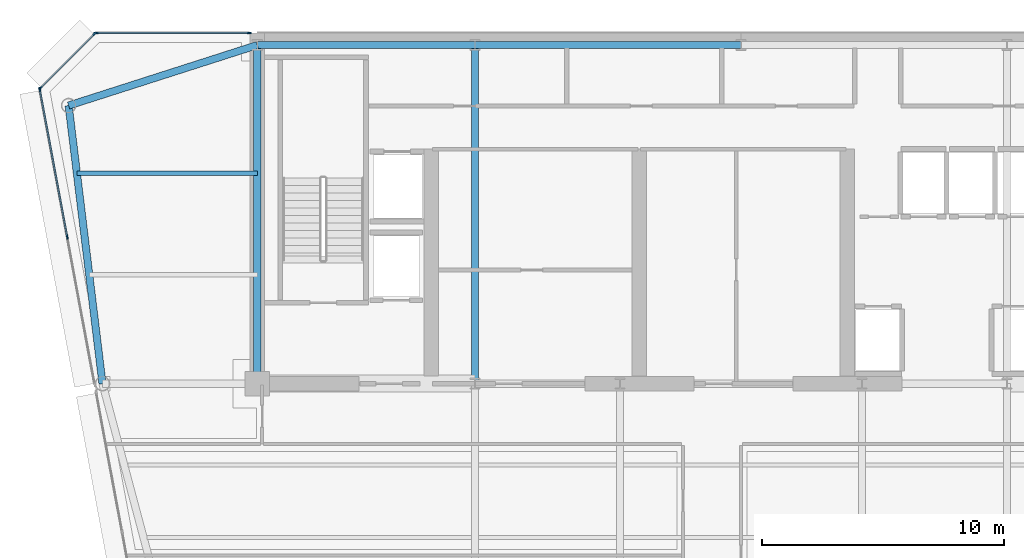
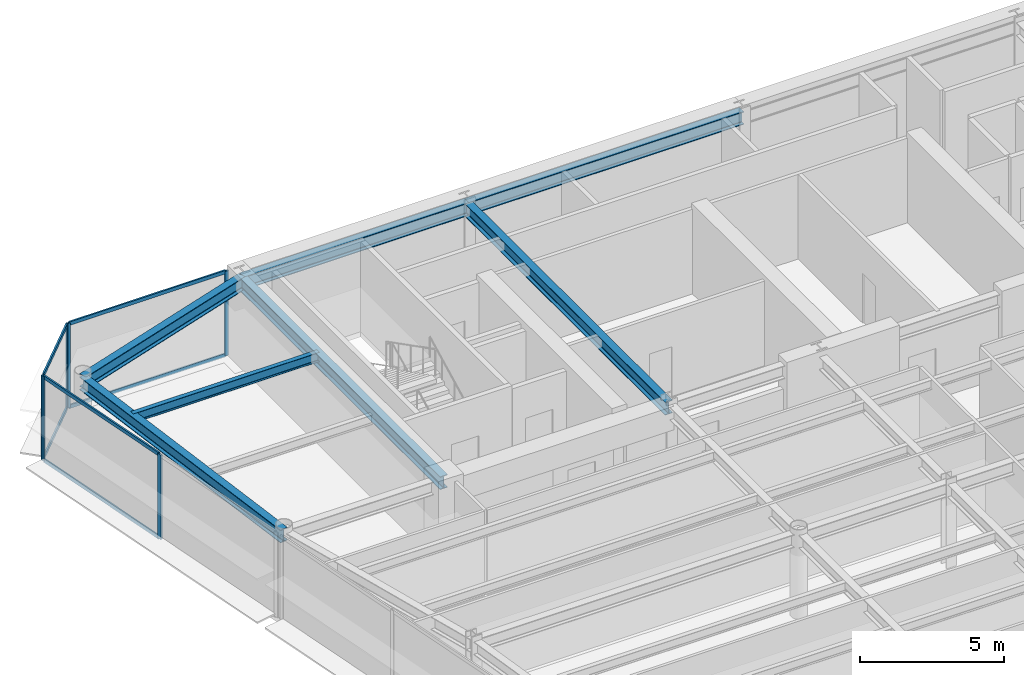
# One storey, part 7 of 18: 12 members, 7 beams, 3 elements without a shape of their own.
"""IFC4 building model written with IfcOpenShell, lengths in metres."""

from ifc_helpers import new_model, si_unit, direction, frame, origin, origin_2d, place, context, subcontext, project, spatial, rectangle, i_section, extrude, source, transform, mapped, material, layer, layer_set, material_profile, profile_set, type_object, element, aggregate, save


model = new_model("IFC4")

# Units and contexts
model_context = context("Model", 3, precision=1e-05, world=origin(), true_north=direction((0.0, 1.0)))
body_context = subcontext(model_context, "Body", "Model", "MODEL_VIEW")
ifc_project = project(units=[si_unit("LENGTHUNIT", "METRE"), si_unit("AREAUNIT", "SQUARE_METRE"), si_unit("VOLUMEUNIT", "CUBIC_METRE"), si_unit("PLANEANGLEUNIT", "RADIAN"), si_unit("MASSUNIT", "GRAM", prefix="KILO")], contexts=[model_context])

# Site, building, storey
site_placement = place(None, origin())
site = spatial("IfcSite", under=ifc_project, at=site_placement, CompositionType="ELEMENT")
building_placement = place(site_placement, origin())
building = spatial("IfcBuilding", under=site, at=building_placement, Name="Vaeldorn Concourse Tower", CompositionType="ELEMENT")
storey_placement = place(building_placement, frame((0.0, 0.0, 242.199951171875)))
storey = spatial("IfcBuildingStorey", under=building, at=storey_placement, Name="L62", CompositionType="ELEMENT", Elevation=242.199951171875)

# Beams
ifc_material_1 = material(Name="Steel S355", Category="steel")
ifc_material_profile_1 = material_profile(ifc_material_1, i_section(OverallWidth=0.179931640625, OverallDepth=0.39990234375, WebThickness=0.008544921875, FlangeThickness=0.013427734375, FilletRadius=0.02099609375, at=origin_2d()), Name="IPE 400")
ifc_profile_set_1 = profile_set([ifc_material_profile_1], Name="Steel S355")
beam_type_1 = type_object("IfcBeamType", Name="BM-JS-IPE400", PredefinedType="JOIST", material=ifc_profile_set_1)
shared_shape_1 = source(origin(), body_context, "Body", "SweptSolid", [
    extrude(i_section(OverallWidth=0.179931640625, OverallDepth=0.39990234375, WebThickness=0.008544921875, FlangeThickness=0.013427734375, FilletRadius=0.02099609375, at=origin_2d()), origin(), (0.0, 0.0, 1.0), 7.458984375),
])
beam_1_placement = place(storey_placement, frame((6.541015625, 45.199951171875, 3.380126953125), z_axis=(1.0, 0.0, 0.0), x_axis=(0.0, 1.0, 0.0)))
element("IfcBeam", 1, at=beam_1_placement, inside=storey, type_object=beam_type_1, Name="Beam JS-L62-NW-452", PredefinedType="JOIST", context=body_context, shape_type="MappedRepresentation", body=[
    mapped(shared_shape_1, transform((0.0, 0.0, 0.0), scale=1.0)),
])
ifc_material_profile_2 = material_profile(ifc_material_1, i_section(OverallWidth=0.300048828125, OverallDepth=0.550048828125, WebThickness=0.014892578125, FlangeThickness=0.029052734375, FilletRadius=0.027099609375, at=origin_2d()), Name="HEB 550")
ifc_profile_set_2 = profile_set([ifc_material_profile_2], Name="Steel S355")
beam_type_2 = type_object("IfcBeamType", Name="BM-PG-HEB550", PredefinedType="BEAM", material=ifc_profile_set_2)
shared_shape_2 = source(origin(), body_context, "Body", "SweptSolid", [
    extrude(i_section(OverallWidth=0.300048828125, OverallDepth=0.550048828125, WebThickness=0.014892578125, FlangeThickness=0.029052734375, FilletRadius=0.027099609375, at=origin_2d()), origin(), (0.0, 0.0, 1.0), 9.0),
])
beam_2_placement = place(storey_placement, frame((14.0, 50.5, 3.304931640625), z_axis=(1.0, 0.0, 0.0), x_axis=(0.0, 1.0, 0.0)))
element("IfcBeam", 2, at=beam_2_placement, inside=storey, type_object=beam_type_2, Name="Beam BM-L62-C-HC1-C-HC2", PredefinedType="BEAM", context=body_context, shape_type="MappedRepresentation", body=[
    mapped(shared_shape_2, transform((0.0, 0.0, 0.0), scale=1.0)),
])
shared_shape_3 = source(origin(), body_context, "Body", "SweptSolid", [
    extrude(i_section(OverallWidth=0.300048828125, OverallDepth=0.550048828125, WebThickness=0.014892578125, FlangeThickness=0.029052734375, FilletRadius=0.027099609375, at=origin_2d()), origin(), (0.0, 0.0, 1.0), 11.0),
])
beam_3_placement = place(storey_placement, frame((23.0, 50.5, 3.304931640625), z_axis=(1.0, 0.0, 0.0), x_axis=(0.0, 1.0, 0.0)))
element("IfcBeam", 3, at=beam_3_placement, inside=storey, type_object=beam_type_2, Name="Beam BM-L62-C-HC2-C-HC3", PredefinedType="BEAM", context=body_context, shape_type="MappedRepresentation", body=[
    mapped(shared_shape_3, transform((0.0, 0.0, 0.0), scale=1.0)),
])
shared_shape_4 = source(origin(), body_context, "Body", "SweptSolid", [
    extrude(i_section(OverallWidth=0.300048828125, OverallDepth=0.550048828125, WebThickness=0.014892578125, FlangeThickness=0.029052734375, FilletRadius=0.027099609375, at=origin_2d()), origin(), (0.0, 0.0, 1.0), 14.0),
])
for number, where, z_axis, x_axis, name in (
    (4, (14.0, 36.5, 3.304931640625), (0.0, 1.0, 0.0), (-1.0, 0.0, 0.0), "Beam BM-L62-C-FC1-C-HC1"),
    (5, (23.0, 36.5, 3.304931640625), (0.0, 1.0, 0.0), (-1.0, 0.0, 0.0), "Beam BM-L62-C-FC2-C-HC2"),
):
    element("IfcBeam", number, at=place(storey_placement, frame(where, z_axis=z_axis, x_axis=x_axis)), inside=storey, type_object=beam_type_2, Name=name, PredefinedType="BEAM", context=body_context, shape_type="MappedRepresentation", body=[
        mapped(shared_shape_4, transform((0.0, 0.0, 0.0), scale=1.0)),
    ])
shared_shape_5 = source(origin(), body_context, "Body", "SweptSolid", [
    extrude(i_section(OverallWidth=0.300048828125, OverallDepth=0.550048828125, WebThickness=0.014892578125, FlangeThickness=0.029052734375, FilletRadius=0.027099609375, at=origin_2d()), origin(), (0.0, 0.0, 1.0), 8.19091796875),
])
beam_4_placement = place(storey_placement, frame((6.199951171875, 48.0, 3.304931640625), z_axis=(0.952282843383, 0.305216949396, 0.0), x_axis=(-0.305216949396, 0.952282843383, 0.0)))
element("IfcBeam", 6, at=beam_4_placement, inside=storey, type_object=beam_type_2, Name="Beam BM-L62-C-NW1-C-HC1", PredefinedType="BEAM", context=body_context, shape_type="MappedRepresentation", body=[
    mapped(shared_shape_5, transform((0.0, 0.0, 0.0), scale=1.0)),
])
shared_shape_6 = source(origin(), body_context, "Body", "SweptSolid", [
    extrude(i_section(OverallWidth=0.300048828125, OverallDepth=0.550048828125, WebThickness=0.014892578125, FlangeThickness=0.029052734375, FilletRadius=0.027099609375, at=origin_2d()), origin(), (0.0, 0.0, 1.0), 11.5849609375),
])
beam_5_placement = place(storey_placement, frame((6.199951171875, 48.0, 3.304931640625), z_axis=(0.120859382899, -0.992669637677, 0.0), x_axis=(0.992669637677, 0.120859382899, 0.0)))
element("IfcBeam", 7, at=beam_5_placement, inside=storey, type_object=beam_type_2, Name="Beam BM-L62-C-NW1-C-NW2", PredefinedType="BEAM", context=body_context, shape_type="MappedRepresentation", body=[
    mapped(shared_shape_6, transform((0.0, 0.0, 0.0), scale=1.0)),
])

# Curtain wall, members
ifc_material_2 = material(Name="Anodised Bronze Aluminium", Category="aluminium")
ifc_layer = layer(ifc_material_2, 0.179931640625)
ifc_layer_set = layer_set([ifc_layer], Name="Anodised Bronze Aluminium")
curtain_wall_type = type_object("IfcCurtainWallType", Name="CW-SYS-05", PredefinedType="NOTDEFINED", material=ifc_layer_set)
curtain_wall_1_placement = place(storey_placement, origin())
curtain_wall_1 = element("IfcCurtainWall", 8, at=curtain_wall_1_placement, inside=storey, type_object=curtain_wall_type, Name="Unitised Curtain Wall CW-L62-E10-1", PredefinedType="NOTDEFINED")
ifc_material_profile_3 = material_profile(ifc_material_2, rectangle(XDim=0.06494140625, YDim=0.14990234375, at=origin_2d()), Name="CWT 65x150")
ifc_profile_set_3 = profile_set([ifc_material_profile_3], Name="Anodised Bronze Aluminium")
member_type_1 = type_object("IfcMemberType", Name="CWT-BRONZE-150", PredefinedType="USERDEFINED", material=ifc_profile_set_3)
shared_shape_7 = source(origin(), body_context, "Body", "SweptSolid", [
    extrude(rectangle(XDim=0.06494140625, YDim=0.14990234375, at=origin_2d()), origin(), (0.0, 0.0, 1.0), 3.123046875),
])
member_1_placement = place(storey_placement, frame((7.254150390625, 50.9541015625, 0.032470703125), z_axis=(-0.707106781187, -0.707106781187, 0.0), x_axis=(0.707106781187, -0.707106781187, 0.0)))
member_1 = element("IfcMember", 9, at=member_1_placement, type_object=member_type_1, Name="CW-05 transom 1.1", ObjectType="TRANSOM", PredefinedType="USERDEFINED", context=body_context, shape_type="MappedRepresentation", body=[
    mapped(shared_shape_7, transform((0.0, 0.0, 0.0), scale=1.0)),
])
member_2_placement = place(storey_placement, frame((7.254150390625, 50.9541015625, 3.547607421875), z_axis=(-0.707106781187, -0.707106781187, 0.0), x_axis=(0.707106781187, -0.707106781187, 0.0)))
member_2 = element("IfcMember", 10, at=member_2_placement, type_object=member_type_1, Name="CW-05 transom 1.2", ObjectType="TRANSOM", PredefinedType="USERDEFINED", context=body_context, shape_type="MappedRepresentation", body=[
    mapped(shared_shape_7, transform((0.0, 0.0, 0.0), scale=1.0)),
])

curtain_wall_2_placement = place(storey_placement, origin())
curtain_wall_2 = element("IfcCurtainWall", 11, at=curtain_wall_2_placement, inside=storey, type_object=curtain_wall_type, Name="Unitised Curtain Wall CW-L62-E09-2", PredefinedType="NOTDEFINED")
ifc_material_profile_4 = material_profile(ifc_material_2, rectangle(XDim=0.06494140625, YDim=0.169921875, at=origin_2d()), Name="CWM 65x170")
ifc_profile_set_4 = profile_set([ifc_material_profile_4], Name="Anodised Bronze Aluminium")
member_type_2 = type_object("IfcMemberType", Name="CWM-BRONZE-170", PredefinedType="MULLION", material=ifc_profile_set_4)
shared_shape_8 = source(origin(), body_context, "Body", "SweptSolid", [
    extrude(rectangle(XDim=0.06494140625, YDim=0.169921875, at=origin_2d()), origin(), (0.0, 0.0, 1.0), 3.580078125),
])
member_3_placement = place(storey_placement, frame((13.672607421875, 51.0, 0.0), z_axis=(0.0, 0.0, 1.0), x_axis=(0.0, -1.0, 0.0)))
member_3 = element("IfcMember", 12, at=member_3_placement, type_object=member_type_2, Name="CW-05 mullion 1", PredefinedType="MULLION", context=body_context, shape_type="MappedRepresentation", body=[
    mapped(shared_shape_8, transform((0.0, 0.0, 0.0), scale=1.0)),
])
member_4_placement = place(storey_placement, frame((7.33251953125, 51.0, 0.0), z_axis=(0.0, 0.0, 1.0), x_axis=(0.0, -1.0, 0.0)))
member_4 = element("IfcMember", 13, at=member_4_placement, type_object=member_type_2, Name="CW-05 mullion 2", PredefinedType="MULLION", context=body_context, shape_type="MappedRepresentation", body=[
    mapped(shared_shape_8, transform((0.0, 0.0, 0.0), scale=1.0)),
])

# Member
member_5_placement = place(storey_placement, frame((7.277099609375, 50.97705078125, 0.0), z_axis=(0.0, 0.0, 1.0), x_axis=(0.707106781187, -0.707106781187, 0.0)))
member_5 = element("IfcMember", 14, at=member_5_placement, type_object=member_type_2, Name="CW-05 mullion 1", PredefinedType="MULLION", context=body_context, shape_type="MappedRepresentation", body=[
    mapped(shared_shape_8, transform((0.0, 0.0, 0.0), scale=1.0)),
])

member_6_placement = place(storey_placement, frame((5.02294921875, 48.722900390625, 0.0), z_axis=(0.0, 0.0, 1.0), x_axis=(0.707106781187, -0.707106781187, 0.0)))
member_6 = element("IfcMember", 15, at=member_6_placement, type_object=member_type_2, Name="CW-05 mullion 2", PredefinedType="MULLION", context=body_context, shape_type="MappedRepresentation", body=[
    mapped(shared_shape_8, transform((0.0, 0.0, 0.0), scale=1.0)),
])

aggregate(curtain_wall_1, [member_5, member_6, member_1, member_2])

# Curtain wall, members
curtain_wall_3_placement = place(storey_placement, origin())
curtain_wall_3 = element("IfcCurtainWall", 16, at=curtain_wall_3_placement, inside=storey, type_object=curtain_wall_type, Name="Unitised Curtain Wall CW-L62-E11-1", PredefinedType="NOTDEFINED")
member_7_placement = place(storey_placement, frame((5.005859375, 48.66796875, 0.0), z_axis=(0.0, 0.0, 1.0), x_axis=(0.983102768025, 0.183054493257, 0.0)))
member_7 = element("IfcMember", 17, at=member_7_placement, type_object=member_type_2, Name="CW-05 mullion 1", PredefinedType="MULLION", context=body_context, shape_type="MappedRepresentation", body=[
    mapped(shared_shape_8, transform((0.0, 0.0, 0.0), scale=1.0)),
])
member_8_placement = place(storey_placement, frame((6.142578125, 42.564208984375, 0.0), z_axis=(0.0, 0.0, 1.0), x_axis=(0.983102768025, 0.183054493257, 0.0)))
member_8 = element("IfcMember", 18, at=member_8_placement, type_object=member_type_2, Name="CW-05 mullion 2", PredefinedType="MULLION", context=body_context, shape_type="MappedRepresentation", body=[
    mapped(shared_shape_8, transform((0.0, 0.0, 0.0), scale=1.0)),
])

# Member
shared_shape_9 = source(origin(), body_context, "Body", "SweptSolid", [
    extrude(rectangle(XDim=0.06494140625, YDim=0.14990234375, at=origin_2d()), origin(), (0.0, 0.0, 1.0), 6.27490234375),
])
member_9_placement = place(storey_placement, frame((13.639892578125, 51.0, 0.032470703125), z_axis=(-1.0, 0.0, 0.0), x_axis=(0.0, -1.0, 0.0)))
member_9 = element("IfcMember", 19, at=member_9_placement, type_object=member_type_1, Name="CW-05 transom 1.1", ObjectType="TRANSOM", PredefinedType="USERDEFINED", context=body_context, shape_type="MappedRepresentation", body=[
    mapped(shared_shape_9, transform((0.0, 0.0, 0.0), scale=1.0)),
])

member_10_placement = place(storey_placement, frame((13.639892578125, 51.0, 3.547607421875), z_axis=(-1.0, 0.0, 0.0), x_axis=(0.0, -1.0, 0.0)))
member_10 = element("IfcMember", 20, at=member_10_placement, type_object=member_type_1, Name="CW-05 transom 1.2", ObjectType="TRANSOM", PredefinedType="USERDEFINED", context=body_context, shape_type="MappedRepresentation", body=[
    mapped(shared_shape_9, transform((0.0, 0.0, 0.0), scale=1.0)),
])

aggregate(curtain_wall_2, [member_3, member_4, member_9, member_10])

shared_shape_10 = source(origin(), body_context, "Body", "SweptSolid", [
    extrude(rectangle(XDim=0.06494140625, YDim=0.14990234375, at=origin_2d()), origin(), (0.0, 0.0, 1.0), 6.1435546875),
])
member_11_placement = place(storey_placement, frame((5.011962890625, 48.635986328125, 0.032470703125), z_axis=(0.183038328644, -0.983105777751, 0.0), x_axis=(0.983105777751, 0.183038328644, 0.0)))
member_11 = element("IfcMember", 21, at=member_11_placement, type_object=member_type_1, Name="CW-05 transom 1.1", ObjectType="TRANSOM", PredefinedType="USERDEFINED", context=body_context, shape_type="MappedRepresentation", body=[
    mapped(shared_shape_10, transform((0.0, 0.0, 0.0), scale=1.0)),
])

member_12_placement = place(storey_placement, frame((5.011962890625, 48.635986328125, 3.547607421875), z_axis=(0.183038328644, -0.983105777751, 0.0), x_axis=(0.983105777751, 0.183038328644, 0.0)))
member_12 = element("IfcMember", 22, at=member_12_placement, type_object=member_type_1, Name="CW-05 transom 1.2", ObjectType="TRANSOM", PredefinedType="USERDEFINED", context=body_context, shape_type="MappedRepresentation", body=[
    mapped(shared_shape_10, transform((0.0, 0.0, 0.0), scale=1.0)),
])

aggregate(curtain_wall_3, [member_7, member_8, member_11, member_12])

save(model, "model.ifc")
